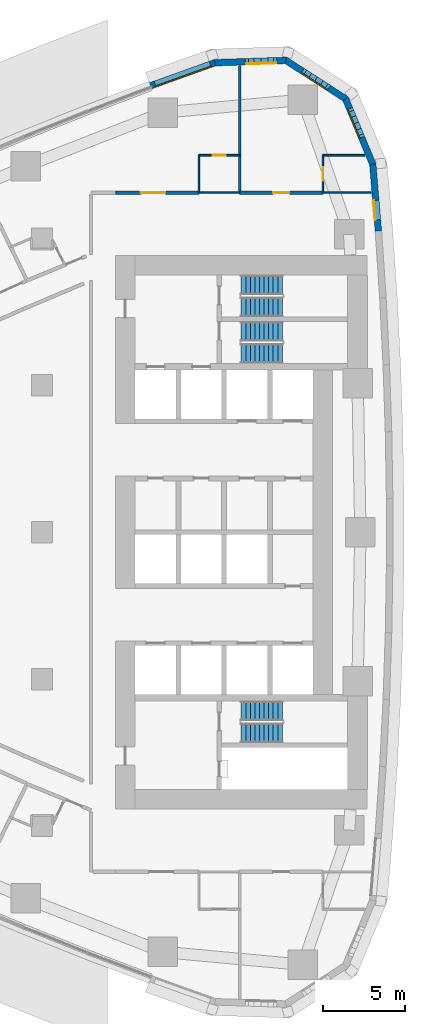
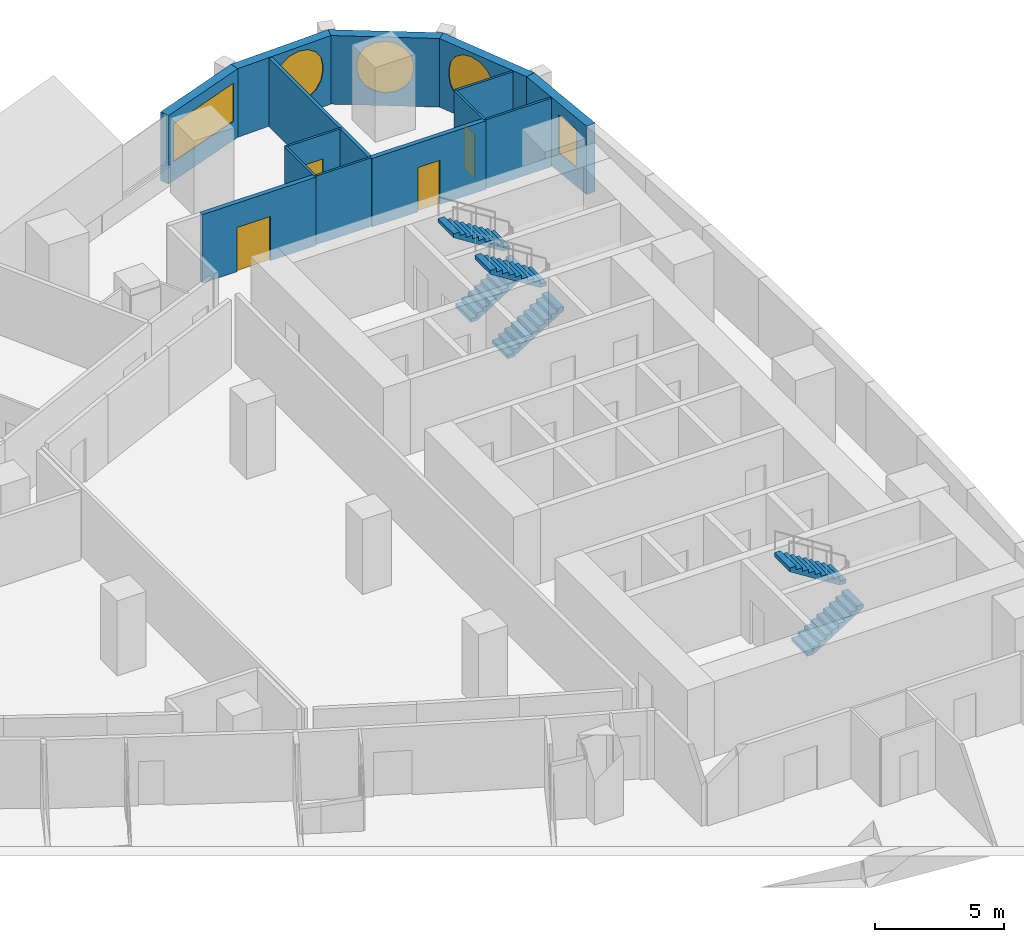
# One storey, part 13 of 18: 14 walls, 6 stair flights, 5 windows, 4 doors, 9 openings, 3 elements without a shape of their own.
"""IFC4 building model written with IfcOpenShell, lengths in metres."""

from ifc_helpers import new_model, si_unit, direction, frame, frame_2d, origin, place, context, subcontext, project, spatial, polyline, rectangle, outline, extrude, material, layer, layer_set, type_object, element, fill, aggregate, save


model = new_model("IFC4")

# Units and contexts
model_context = context("Model", 3, precision=1e-05, world=origin(), true_north=direction((0.0, 1.0)))
body_context = subcontext(model_context, "Body", "Model", "MODEL_VIEW")
ifc_project = project(units=[si_unit("LENGTHUNIT", "METRE"), si_unit("AREAUNIT", "SQUARE_METRE"), si_unit("VOLUMEUNIT", "CUBIC_METRE"), si_unit("PLANEANGLEUNIT", "RADIAN"), si_unit("MASSUNIT", "GRAM", prefix="KILO")], contexts=[model_context])

# Site, building, storey
site_placement = place(None, origin())
site = spatial("IfcSite", under=ifc_project, at=site_placement, CompositionType="ELEMENT")
building_placement = place(site_placement, origin())
building = spatial("IfcBuilding", under=site, at=building_placement, Name="Ostrand Prow Hotel Tower", CompositionType="ELEMENT")
storey_placement = place(building_placement, frame((0.0, 0.0, 57.35009765625)))
storey = spatial("IfcBuildingStorey", under=building, at=storey_placement, Name="L12", CompositionType="ELEMENT", Elevation=57.35009765625)

# Wall
ifc_material_1 = material(Name="Plasterboard partition")
ifc_layer_1 = layer(ifc_material_1, 0.10009765625)
ifc_layer_set_1 = layer_set([ifc_layer_1], Name="Plasterboard partition")
wall_type_1 = type_object("IfcWallType", Name="Partition 100 bathroom wall", PredefinedType="PARTITIONING", material=ifc_layer_set_1)
wall_1_placement = place(storey_placement, frame((54.601806640625, 20.800048828125, 0.0), z_axis=(0.0, 0.0, 1.0), x_axis=(0.0, 1.0, 0.0)))
element("IfcWall", 1, at=wall_1_placement, inside=storey, type_object=wall_type_1, Name="BATHROOM WALL", PredefinedType="PARTITIONING", context=body_context, shape_type="SweptSolid", body=[
    extrude(rectangle(XDim=2.300048828125, YDim=0.10009765625, at=frame_2d((1.14990234375, 0.0))), origin(), (0.0, 0.0, 1.0), 3.25),
])

# Wall, opening, door
wall_2_placement = place(storey_placement, frame((54.601806640625, 23.10009765625, 0.0), z_axis=(0.0, 0.0, 1.0), x_axis=(1.0, 0.0, 0.0)))
wall_2 = element("IfcWall", 2, at=wall_2_placement, inside=storey, type_object=wall_type_1, Name="BATHROOM WALL", PredefinedType="PARTITIONING", context=body_context, shape_type="SweptSolid", body=[
    extrude(rectangle(XDim=2.5, YDim=0.10009765625, at=frame_2d((1.25, 0.0))), origin(), (0.0, 0.0, 1.0), 3.25),
])
opening_1_placement = place(wall_2_placement, frame((0.85009765625, 0.0, 0.0)))
opening_1 = element("IfcOpeningElement", 3, at=opening_1_placement, cuts=wall_2, Name="Opening D2", PredefinedType="OPENING", context=body_context, shape_type="SweptSolid", body=[
    extrude(rectangle(XDim=0.800048828125, YDim=2.10009765625, at=frame_2d((0.39990234375, 1.050048828125))), frame((0.0, 0.06005859375, 0.0), z_axis=(0.0, -1.0, 0.0), x_axis=(1.0, 0.0, 0.0)), (0.0, 0.0, 1.0), 0.1201171875),
])
ifc_material_2 = material(Name="Timber door leaf", Category="wood")
door_type_1 = type_object("IfcDoorType", Name="Bathroom door 800", OperationType="SINGLE_SWING_LEFT", PredefinedType="DOOR", material=ifc_material_2)
door_1_placement = place(opening_1_placement, origin())
door_1 = element("IfcDoor", 4, at=door_1_placement, inside=storey, type_object=door_type_1, Name="DOOR", OperationType="SINGLE_SWING_LEFT", OverallHeight=2.10009765625, OverallWidth=0.800048828125, PredefinedType="DOOR", context=body_context, shape_type="SweptSolid", body=[
    extrude(rectangle(XDim=0.800048828125, YDim=2.10009765625, at=frame_2d((0.39990234375, 1.050048828125))), frame((0.0, 0.02490234375, 0.0), z_axis=(0.0, -1.0, 0.0), x_axis=(1.0, 0.0, 0.0)), (0.0, 0.0, 1.0), 0.050048828125),
])
fill(opening_1, door_1)

wall_3_placement = place(storey_placement, frame((62.203369140625, 20.800048828125, 0.0), z_axis=(0.0, 0.0, 1.0), x_axis=(0.0, 1.0, 0.0)))
wall_3 = element("IfcWall", 5, at=wall_3_placement, inside=storey, type_object=wall_type_1, Name="BATHROOM WALL", PredefinedType="PARTITIONING", context=body_context, shape_type="SweptSolid", body=[
    extrude(rectangle(XDim=2.300048828125, YDim=0.10009765625, at=frame_2d((1.14990234375, 0.0))), origin(), (0.0, 0.0, 1.0), 3.25),
])
opening_2_placement = place(wall_3_placement, frame((0.75, 0.0, 0.0)))
opening_2 = element("IfcOpeningElement", 6, at=opening_2_placement, cuts=wall_3, Name="Opening D2", PredefinedType="OPENING", context=body_context, shape_type="SweptSolid", body=[
    extrude(rectangle(XDim=0.800048828125, YDim=2.10009765625, at=frame_2d((0.39990234375, 1.050048828125))), frame((0.0, 0.06005859375, 0.0), z_axis=(0.0, -1.0, 0.0), x_axis=(1.0, 0.0, 0.0)), (0.0, 0.0, 1.0), 0.1201171875),
])
door_2_placement = place(opening_2_placement, origin())
door_2 = element("IfcDoor", 7, at=door_2_placement, inside=storey, type_object=door_type_1, Name="DOOR", OperationType="SINGLE_SWING_LEFT", OverallHeight=2.10009765625, OverallWidth=0.800048828125, PredefinedType="DOOR", context=body_context, shape_type="SweptSolid", body=[
    extrude(rectangle(XDim=0.800048828125, YDim=2.10009765625, at=frame_2d((0.39990234375, 1.050048828125))), frame((0.0, 0.02490234375, 0.0), z_axis=(0.0, -1.0, 0.0), x_axis=(1.0, 0.0, 0.0)), (0.0, 0.0, 1.0), 0.050048828125),
])
fill(opening_2, door_2)

# Walls
wall_4_placement = place(storey_placement, frame((62.203369140625, 23.10009765625, 0.0), z_axis=(0.0, 0.0, 1.0), x_axis=(1.0, 0.0, 0.0)))
element("IfcWall", 8, at=wall_4_placement, inside=storey, type_object=wall_type_1, Name="BATHROOM WALL", PredefinedType="PARTITIONING", context=body_context, shape_type="SweptSolid", body=[
    extrude(rectangle(XDim=2.578125, YDim=0.10009765625, at=frame_2d((1.2890625, 0.0))), origin(), (0.0, 0.0, 1.0), 3.25),
])
wall_5_placement = place(storey_placement, frame((57.101806640625, 20.804931640625, 0.0), z_axis=(0.0, 0.0, 1.0), x_axis=(-1.0, 0.0, 0.0)))
element("IfcWall", 9, at=wall_5_placement, inside=storey, type_object=wall_type_1, Name="BATHROOM WALL", PredefinedType="PARTITIONING", context=body_context, shape_type="SweptSolid", body=[
    extrude(rectangle(XDim=2.5, YDim=0.10009765625, at=frame_2d((1.25, 0.0))), origin(), (0.0, 0.0, 1.0), 3.25),
])
wall_6_placement = place(storey_placement, frame((65.174560546875, 20.804931640625, 0.0), z_axis=(0.0, 0.0, 1.0), x_axis=(-1.0, 0.0, 0.0)))
element("IfcWall", 10, at=wall_6_placement, inside=storey, type_object=wall_type_1, Name="BATHROOM WALL", PredefinedType="PARTITIONING", context=body_context, shape_type="SweptSolid", body=[
    extrude(rectangle(XDim=2.97119140625, YDim=0.10009765625, at=frame_2d((1.485595703125, 0.0))), origin(), (0.0, 0.0, 1.0), 3.25),
])
ifc_material_3 = material(Name="Plasterboard partition")
ifc_layer_2 = layer(ifc_material_3, 0.14990234375)
ifc_layer_set_2 = layer_set([ifc_layer_2], Name="Plasterboard partition")
wall_type_2 = type_object("IfcWallType", Name="Partition 150 room partition", PredefinedType="PARTITIONING", material=ifc_layer_set_2)
wall_7_placement = place(storey_placement, frame((57.101806640625, 20.800048828125, 0.0), z_axis=(0.0, 0.0, 1.0), x_axis=(0.0, 1.0, 0.0)))
element("IfcWall", 11, at=wall_7_placement, inside=storey, type_object=wall_type_2, Name="ROOM PARTITION", PredefinedType="PARTITIONING", context=body_context, shape_type="SweptSolid", body=[
    extrude(rectangle(XDim=7.786865234375, YDim=0.14990234375, at=frame_2d((3.8935546875, 0.0))), origin(), (0.0, 0.0, 1.0), 3.25),
])

# Wall, opening, door
ifc_material_4 = material(Name="Plasterboard partition")
ifc_layer_3 = layer(ifc_material_4, 0.199951171875)
ifc_layer_set_3 = layer_set([ifc_layer_3], Name="Plasterboard partition")
wall_type_3 = type_object("IfcWallType", Name="Partition 200 corridor wall", PredefinedType="PARTITIONING", material=ifc_layer_set_3)
wall_8_placement = place(storey_placement, frame((54.5966796875, 20.804931640625, 0.0), z_axis=(0.0, 0.0, 1.0), x_axis=(-1.0, 0.0, 0.0)))
wall_8 = element("IfcWall", 12, at=wall_8_placement, inside=storey, type_object=wall_type_3, Name="CORRIDOR WALL", PredefinedType="PARTITIONING", context=body_context, shape_type="SweptSolid", body=[
    extrude(rectangle(XDim=5.0966796875, YDim=0.199951171875, at=frame_2d((2.54833984375, 0.0))), origin(), (0.0, 0.0, 1.0), 3.25),
])
opening_3_placement = place(wall_8_placement, frame((2.04833984375, 0.0, 0.0)))
opening_3 = element("IfcOpeningElement", 13, at=opening_3_placement, cuts=wall_8, Name="Opening D15", PredefinedType="OPENING", context=body_context, shape_type="SweptSolid", body=[
    extrude(rectangle(XDim=1.5, YDim=2.10009765625, at=frame_2d((0.75, 1.050048828125))), frame((0.0, 0.10986328125, 0.0), z_axis=(0.0, -1.0, 0.0), x_axis=(1.0, 0.0, 0.0)), (0.0, 0.0, 1.0), 0.219970703125),
])
ifc_material_5 = material(Name="Timber door leaf", Category="wood")
door_type_2 = type_object("IfcDoorType", Name="Double door 1500", OperationType="DOUBLE_DOOR_SINGLE_SWING", PredefinedType="DOOR", material=ifc_material_5)
door_3_placement = place(opening_3_placement, origin())
door_3 = element("IfcDoor", 14, at=door_3_placement, inside=storey, type_object=door_type_2, Name="DOOR", OperationType="DOUBLE_DOOR_SINGLE_SWING", OverallHeight=2.10009765625, OverallWidth=1.5, PredefinedType="DOOR", context=body_context, shape_type="SweptSolid", body=[
    extrude(rectangle(XDim=1.5, YDim=2.10009765625, at=frame_2d((0.75, 1.050048828125))), frame((0.0, 0.02490234375, 0.0), z_axis=(0.0, -1.0, 0.0), x_axis=(1.0, 0.0, 0.0)), (0.0, 0.0, 1.0), 0.050048828125),
])
fill(opening_3, door_3)

wall_9_placement = place(storey_placement, frame((62.1982421875, 20.804931640625, 0.0), z_axis=(0.0, 0.0, 1.0), x_axis=(-1.0, 0.0, 0.0)))
wall_9 = element("IfcWall", 15, at=wall_9_placement, inside=storey, type_object=wall_type_3, Name="CORRIDOR WALL", PredefinedType="PARTITIONING", context=body_context, shape_type="SweptSolid", body=[
    extrude(rectangle(XDim=5.091552734375, YDim=0.199951171875, at=frame_2d((2.5458984375, 0.0))), origin(), (0.0, 0.0, 1.0), 3.25),
])
opening_4_placement = place(wall_9_placement, frame((2.0458984375, 0.0, 0.0)))
opening_4 = element("IfcOpeningElement", 16, at=opening_4_placement, cuts=wall_9, Name="Opening D1R", PredefinedType="OPENING", context=body_context, shape_type="SweptSolid", body=[
    extrude(rectangle(XDim=1.0, YDim=2.10009765625, at=frame_2d((0.5, 1.050048828125))), frame((0.0, 0.10986328125, 0.0), z_axis=(0.0, -1.0, 0.0), x_axis=(1.0, 0.0, 0.0)), (0.0, 0.0, 1.0), 0.219970703125),
])
ifc_material_6 = material(Name="Timber door leaf", Category="wood")
door_type_3 = type_object("IfcDoorType", Name="Guest room door 1000 right", OperationType="SINGLE_SWING_RIGHT", PredefinedType="DOOR", material=ifc_material_6)
door_4_placement = place(opening_4_placement, origin())
door_4 = element("IfcDoor", 17, at=door_4_placement, inside=storey, type_object=door_type_3, Name="DOOR", OperationType="SINGLE_SWING_RIGHT", OverallHeight=2.10009765625, OverallWidth=1.0, PredefinedType="DOOR", context=body_context, shape_type="SweptSolid", body=[
    extrude(rectangle(XDim=1.0, YDim=2.10009765625, at=frame_2d((0.5, 1.050048828125))), frame((0.0, 0.02490234375, 0.0), z_axis=(0.0, -1.0, 0.0), x_axis=(1.0, 0.0, 0.0)), (0.0, 0.0, 1.0), 0.050048828125),
])
fill(opening_4, door_4)

# Wall, opening, window
ifc_material_7 = material(Name="Precast concrete C40/50", Category="concrete")
ifc_layer_4 = layer(ifc_material_7, 0.39990234375)
ifc_layer_set_4 = layer_set([ifc_layer_4], Name="Precast concrete C40/50")
wall_type_4 = type_object("IfcWallType", Name="Stone-faced precast wall 400 mm", PredefinedType="NOTDEFINED", material=ifc_layer_set_4)
wall_10_placement = place(storey_placement, frame((65.602783203125, 18.455322265625, 0.0), z_axis=(0.0, 0.0, 1.0), x_axis=(-0.083793550906, 0.996483136248, 0.0)))
wall_10 = element("IfcWall", 18, at=wall_10_placement, inside=storey, type_object=wall_type_4, Name="Stone-faced wall back 15", PredefinedType="NOTDEFINED", context=body_context, shape_type="SweptSolid", body=[
    extrude(outline(polyline([(-0.001708984375, -0.199951171875), (4.136474609375, -0.199951171875), (4.073974609375, 0.199951171875), (0.001708984375, 0.199951171875), (-0.001708984375, -0.199951171875)])), origin(), (0.0, 0.0, 1.0), 3.25),
])
opening_5_placement = place(wall_10_placement, frame((0.6884765625, 0.0, 0.89990234375)))
opening_5 = element("IfcOpeningElement", 19, at=opening_5_placement, cuts=wall_10, Name="Opening WS4", PredefinedType="OPENING", context=body_context, shape_type="SweptSolid", body=[
    extrude(rectangle(XDim=1.199951171875, YDim=1.800048828125, at=frame_2d((0.60009765625, 0.89990234375))), frame((0.0, 0.2099609375, 0.0), z_axis=(0.0, -1.0, 0.0), x_axis=(1.0, 0.0, 0.0)), (0.0, 0.0, 1.0), 0.419921875),
])
ifc_material_8 = material(Name="Insulated glass in bronze frame", Category="glass")
window_type_1 = type_object("IfcWindowType", Name="Operable strip panel 1200x1800", PartitioningType="SINGLE_PANEL", PredefinedType="WINDOW", material=ifc_material_8)
window_1_placement = place(opening_5_placement, origin())
window_1 = element("IfcWindow", 20, at=window_1_placement, inside=storey, type_object=window_type_1, Name="Window back 15.1", OverallHeight=1.800048828125, OverallWidth=1.199951171875, PartitioningType="SINGLE_PANEL", PredefinedType="WINDOW", context=body_context, shape_type="SweptSolid", body=[
    extrude(rectangle(XDim=1.199951171875, YDim=1.800048828125, at=frame_2d((0.60009765625, 0.89990234375))), frame((0.0, 0.169921875, 0.0), z_axis=(0.0, -1.0, 0.0), x_axis=(1.0, 0.0, 0.0)), (0.0, 0.0, 1.0), 0.06005859375),
])
fill(opening_5, window_1)

wall_11_placement = place(storey_placement, frame((65.2587890625, 22.546142578125, 0.0), z_axis=(0.0, 0.0, 1.0), x_axis=(-0.384372042685, 0.923178277908, 0.0)))
wall_11 = element("IfcWall", 21, at=wall_11_placement, inside=storey, type_object=wall_type_4, Name="Stone-faced wall back 16", PredefinedType="NOTDEFINED", context=body_context, shape_type="SweptSolid", body=[
    extrude(outline(polyline([(-0.03125, -0.199951171875), (4.408203125, -0.199951171875), (4.283203125, 0.199951171875), (0.03125, 0.199951171875), (-0.03125, -0.199951171875)])), origin(), (0.0, 0.0, 1.0), 3.25),
])
opening_6_placement = place(wall_11_placement, frame((1.630615234375, 0.0, 0.60009765625)))
opening_6 = element("IfcOpeningElement", 22, at=opening_6_placement, cuts=wall_11, Name="Opening WP1", PredefinedType="OPENING", context=body_context, shape_type="SweptSolid", body=[
    extrude(outline(polyline([(0.0, 1.35009765625), (0.083740234375, 1.77099609375), (0.322265625, 2.127685546875), (0.678955078125, 2.3662109375), (1.10009765625, 2.449951171875), (1.52099609375, 2.3662109375), (1.877685546875, 2.127685546875), (2.1162109375, 1.77099609375), (2.199951171875, 1.35009765625), (2.199951171875, 1.10009765625), (2.1162109375, 0.678955078125), (1.877685546875, 0.322265625), (1.52099609375, 0.083740234375), (1.10009765625, 0.0), (0.678955078125, 0.083740234375), (0.322265625, 0.322265625), (0.083740234375, 0.678955078125), (0.0, 1.099853515625), (0.0, 1.35009765625)])), frame((0.0, 0.2099609375, 0.0), z_axis=(0.0, -1.0, 0.0), x_axis=(1.0, 0.0, 0.0)), (0.0, 0.0, 1.0), 0.419921875),
])
ifc_material_9 = material(Name="Insulated glass in bronze frame", Category="glass")
window_type_2 = type_object("IfcWindowType", Name="Round-ended prow window 2200x2450", PartitioningType="SINGLE_PANEL", PredefinedType="WINDOW", material=ifc_material_9)
window_2_placement = place(opening_6_placement, origin())
window_2 = element("IfcWindow", 23, at=window_2_placement, inside=storey, type_object=window_type_2, Name="Window back 16.1", OverallHeight=2.449951171875, OverallWidth=2.199951171875, PartitioningType="SINGLE_PANEL", PredefinedType="WINDOW", context=body_context, shape_type="SweptSolid", body=[
    extrude(outline(polyline([(0.0, 1.35009765625), (0.083740234375, 1.77099609375), (0.322265625, 2.127685546875), (0.678955078125, 2.3662109375), (1.10009765625, 2.449951171875), (1.52099609375, 2.3662109375), (1.877685546875, 2.127685546875), (2.1162109375, 1.77099609375), (2.199951171875, 1.35009765625), (2.199951171875, 1.10009765625), (2.1162109375, 0.678955078125), (1.877685546875, 0.322265625), (1.52099609375, 0.083740234375), (1.10009765625, 0.0), (0.678955078125, 0.083740234375), (0.322265625, 0.322265625), (0.083740234375, 0.678955078125), (0.0, 1.099853515625), (0.0, 1.35009765625)])), frame((0.0, 0.169921875, 0.0), z_axis=(0.0, -1.0, 0.0), x_axis=(1.0, 0.0, 0.0)), (0.0, 0.0, 1.0), 0.06005859375),
])
fill(opening_6, window_2)

wall_12_placement = place(storey_placement, frame((63.58837890625, 26.55810546875, 0.0), z_axis=(0.0, 0.0, 1.0), x_axis=(-0.840937468718, 0.541132307025, 0.0)))
wall_12 = element("IfcWall", 24, at=wall_12_placement, inside=storey, type_object=wall_type_4, Name="Stone-faced wall back 17", PredefinedType="NOTDEFINED", context=body_context, shape_type="SweptSolid", body=[
    extrude(outline(polyline([(-0.0625, -0.199951171875), (4.40869140625, -0.199951171875), (4.28369140625, 0.199951171875), (0.0625, 0.199951171875), (-0.0625, -0.199951171875)])), origin(), (0.0, 0.0, 1.0), 3.25),
])
opening_7_placement = place(wall_12_placement, frame((1.072998046875, 0.0, 0.60009765625)))
opening_7 = element("IfcOpeningElement", 25, at=opening_7_placement, cuts=wall_12, Name="Opening WP1", PredefinedType="OPENING", context=body_context, shape_type="SweptSolid", body=[
    extrude(outline(polyline([(0.0, 1.35009765625), (0.083740234375, 1.77099609375), (0.322265625, 2.127685546875), (0.678955078125, 2.3662109375), (1.10009765625, 2.449951171875), (1.52099609375, 2.3662109375), (1.877685546875, 2.127685546875), (2.1162109375, 1.77099609375), (2.199951171875, 1.35009765625), (2.199951171875, 1.10009765625), (2.1162109375, 0.678955078125), (1.877685546875, 0.322265625), (1.52099609375, 0.083740234375), (1.10009765625, 0.0), (0.678955078125, 0.083740234375), (0.322265625, 0.322265625), (0.083740234375, 0.678955078125), (0.0, 1.099853515625), (0.0, 1.35009765625)])), frame((0.0, 0.2099609375, 0.0), z_axis=(0.0, -1.0, 0.0), x_axis=(1.0, 0.0, 0.0)), (0.0, 0.0, 1.0), 0.419921875),
])
window_3_placement = place(opening_7_placement, origin())
window_3 = element("IfcWindow", 26, at=window_3_placement, inside=storey, type_object=window_type_2, Name="Window back 17.1", OverallHeight=2.449951171875, OverallWidth=2.199951171875, PartitioningType="SINGLE_PANEL", PredefinedType="WINDOW", context=body_context, shape_type="SweptSolid", body=[
    extrude(outline(polyline([(0.0, 1.35009765625), (0.083740234375, 1.77099609375), (0.322265625, 2.127685546875), (0.678955078125, 2.3662109375), (1.10009765625, 2.449951171875), (1.52099609375, 2.3662109375), (1.877685546875, 2.127685546875), (2.1162109375, 1.77099609375), (2.199951171875, 1.35009765625), (2.199951171875, 1.10009765625), (2.1162109375, 0.678955078125), (1.877685546875, 0.322265625), (1.52099609375, 0.083740234375), (1.10009765625, 0.0), (0.678955078125, 0.083740234375), (0.322265625, 0.322265625), (0.083740234375, 0.678955078125), (0.0, 1.099853515625), (0.0, 1.35009765625)])), frame((0.0, 0.169921875, 0.0), z_axis=(0.0, -1.0, 0.0), x_axis=(1.0, 0.0, 0.0)), (0.0, 0.0, 1.0), 0.06005859375),
])
fill(opening_7, window_3)

wall_13_placement = place(storey_placement, frame((59.93359375, 28.909912109375, 0.0), z_axis=(0.0, 0.0, 1.0), x_axis=(-0.999463576228, -0.032749958686, 0.0)))
wall_13 = element("IfcWall", 27, at=wall_13_placement, inside=storey, type_object=wall_type_4, Name="Stone-faced wall back 18", PredefinedType="NOTDEFINED", context=body_context, shape_type="SweptSolid", body=[
    extrude(outline(polyline([(-0.0625, -0.199951171875), (4.377685546875, -0.199951171875), (4.314697265625, 0.199951171875), (0.0625, 0.199951171875), (-0.0625, -0.199951171875)])), origin(), (0.0, 0.0, 1.0), 3.25),
])
opening_8_placement = place(wall_13_placement, frame((0.421875, 0.0, 0.60009765625)))
opening_8 = element("IfcOpeningElement", 28, at=opening_8_placement, cuts=wall_13, Name="Opening WP1", PredefinedType="OPENING", context=body_context, shape_type="SweptSolid", body=[
    extrude(outline(polyline([(0.0, 1.35009765625), (0.083740234375, 1.77099609375), (0.322265625, 2.127685546875), (0.678955078125, 2.3662109375), (1.10009765625, 2.449951171875), (1.52099609375, 2.3662109375), (1.877685546875, 2.127685546875), (2.1162109375, 1.77099609375), (2.199951171875, 1.35009765625), (2.199951171875, 1.10009765625), (2.1162109375, 0.678955078125), (1.877685546875, 0.322265625), (1.52099609375, 0.083740234375), (1.10009765625, 0.0), (0.678955078125, 0.083740234375), (0.322265625, 0.322265625), (0.083740234375, 0.678955078125), (0.0, 1.099853515625), (0.0, 1.35009765625)])), frame((0.0, 0.2099609375, 0.0), z_axis=(0.0, -1.0, 0.0), x_axis=(1.0, 0.0, 0.0)), (0.0, 0.0, 1.0), 0.419921875),
])
window_4_placement = place(opening_8_placement, origin())
window_4 = element("IfcWindow", 29, at=window_4_placement, inside=storey, type_object=window_type_2, Name="Window back 18.1", OverallHeight=2.449951171875, OverallWidth=2.199951171875, PartitioningType="SINGLE_PANEL", PredefinedType="WINDOW", context=body_context, shape_type="SweptSolid", body=[
    extrude(outline(polyline([(0.0, 1.35009765625), (0.083740234375, 1.77099609375), (0.322265625, 2.127685546875), (0.678955078125, 2.3662109375), (1.10009765625, 2.449951171875), (1.52099609375, 2.3662109375), (1.877685546875, 2.127685546875), (2.1162109375, 1.77099609375), (2.199951171875, 1.35009765625), (2.199951171875, 1.10009765625), (2.1162109375, 0.678955078125), (1.877685546875, 0.322265625), (1.52099609375, 0.083740234375), (1.10009765625, 0.0), (0.678955078125, 0.083740234375), (0.322265625, 0.322265625), (0.083740234375, 0.678955078125), (0.0, 1.099853515625), (0.0, 1.35009765625)])), frame((0.0, 0.169921875, 0.0), z_axis=(0.0, -1.0, 0.0), x_axis=(1.0, 0.0, 0.0)), (0.0, 0.0, 1.0), 0.06005859375),
])
fill(opening_8, window_4)

wall_14_placement = place(storey_placement, frame((55.58984375, 28.767578125, 0.0), z_axis=(0.0, 0.0, 1.0), x_axis=(-0.941339752885, -0.337460323057, 0.0)))
wall_14 = element("IfcWall", 30, at=wall_14_placement, inside=storey, type_object=wall_type_4, Name="Stone-faced wall back 19", PredefinedType="NOTDEFINED", context=body_context, shape_type="SweptSolid", body=[
    extrude(outline(polyline([(-0.031494140625, -0.199951171875), (4.196044921875, -0.199951171875), (4.196044921875, 0.199951171875), (0.031494140625, 0.199951171875), (-0.031494140625, -0.199951171875)])), origin(), (0.0, 0.0, 1.0), 3.25),
])
opening_9_placement = place(wall_14_placement, frame((0.298095703125, 0.0, 0.89990234375)))
opening_9 = element("IfcOpeningElement", 31, at=opening_9_placement, cuts=wall_14, Name="Opening WS3-36", PredefinedType="OPENING", context=body_context, shape_type="SweptSolid", body=[
    extrude(rectangle(XDim=3.60009765625, YDim=1.800048828125, at=frame_2d((1.800048828125, 0.89990234375))), frame((0.0, 0.2099609375, 0.0), z_axis=(0.0, -1.0, 0.0), x_axis=(1.0, 0.0, 0.0)), (0.0, 0.0, 1.0), 0.419921875),
])
ifc_material_10 = material(Name="Insulated glass in bronze frame", Category="glass")
window_type_3 = type_object("IfcWindowType", Name="Strip window 3600x1800", PartitioningType="SINGLE_PANEL", PredefinedType="WINDOW", material=ifc_material_10)
window_5_placement = place(opening_9_placement, origin())
window_5 = element("IfcWindow", 32, at=window_5_placement, inside=storey, type_object=window_type_3, Name="Window back 19.1", OverallHeight=1.800048828125, OverallWidth=3.60009765625, PartitioningType="SINGLE_PANEL", PredefinedType="WINDOW", context=body_context, shape_type="SweptSolid", body=[
    extrude(rectangle(XDim=3.60009765625, YDim=1.800048828125, at=frame_2d((1.800048828125, 0.89990234375))), frame((0.0, 0.169921875, 0.0), z_axis=(0.0, -1.0, 0.0), x_axis=(1.0, 0.0, 0.0)), (0.0, 0.0, 1.0), 0.06005859375),
])
fill(opening_9, window_5)

# Stair, stair flights
ifc_material_11 = material(Name="Concrete C40/50", Category="concrete")
stair_type = type_object("IfcStairType", Name="Exit stair 1200 upper zone", PredefinedType="HALF_TURN_STAIR", material=ifc_material_11)
stair_1_placement = place(storey_placement, origin())
stair_1 = element("IfcStair", 33, at=stair_1_placement, inside=storey, type_object=stair_type, Name="L12 ST1C", PredefinedType="HALF_TURN_STAIR")
ifc_material_12 = material(Name="Concrete C40/50", Category="concrete")
stair_flight_type = type_object("IfcStairFlightType", Name="Stair flight 1200 concrete", PredefinedType="STRAIGHT", material=ifc_material_12)
stair_flight_1_placement = place(storey_placement, frame((57.199951171875, 10.949951171875, 0.0), z_axis=(0.0, 0.0, 1.0), x_axis=(1.0, 0.0, 0.0)))
stair_flight_1 = element("IfcStairFlight", 34, at=stair_flight_1_placement, type_object=stair_flight_type, Name="ST1C flight 1", NumberOfRisers=10, NumberOfTreads=9, PredefinedType="STRAIGHT", RiserHeight=0.1775, TreadLength=0.28, context=body_context, shape_type="SweptSolid", body=[
    extrude(outline(polyline([(0.0, 0.0), (0.0, 0.177490234375), (0.280029296875, 0.177490234375), (0.280029296875, 0.35498046875), (0.56005859375, 0.35498046875), (0.56005859375, 0.532470703125), (0.840087890625, 0.532470703125), (0.840087890625, 0.7099609375), (1.1201171875, 0.7099609375), (1.1201171875, 0.887451171875), (1.39990234375, 0.887451171875), (1.39990234375, 1.06494140625), (1.679931640625, 1.06494140625), (1.679931640625, 1.242431640625), (1.9599609375, 1.242431640625), (1.9599609375, 1.419921875), (2.239990234375, 1.419921875), (2.239990234375, 1.597412109375), (2.52001953125, 1.597412109375), (2.52001953125, 1.77490234375), (2.52001953125, 1.419921875), (0.280029296875, 0.0), (0.0, 0.0)])), frame((0.0, 0.60009765625, 0.0), z_axis=(0.0, -1.0, 0.0), x_axis=(1.0, 0.0, 0.0)), (0.0, 0.0, 1.0), 1.199951171875),
])
stair_flight_2_placement = place(storey_placement, frame((59.719970703125, 12.300048828125, 1.77490234375), z_axis=(0.0, 0.0, 1.0), x_axis=(-1.0, 0.0, 0.0)))
stair_flight_2 = element("IfcStairFlight", 35, at=stair_flight_2_placement, type_object=stair_flight_type, Name="ST1C flight 2", NumberOfRisers=10, NumberOfTreads=9, PredefinedType="STRAIGHT", RiserHeight=0.1775, TreadLength=0.28, context=body_context, shape_type="SweptSolid", body=[
    extrude(outline(polyline([(0.0, 0.0), (0.0, 0.177490234375), (0.280029296875, 0.177490234375), (0.280029296875, 0.35498046875), (0.56005859375, 0.35498046875), (0.56005859375, 0.532470703125), (0.840087890625, 0.532470703125), (0.840087890625, 0.7099609375), (1.1201171875, 0.7099609375), (1.1201171875, 0.887451171875), (1.39990234375, 0.887451171875), (1.39990234375, 1.06494140625), (1.679931640625, 1.06494140625), (1.679931640625, 1.242431640625), (1.9599609375, 1.242431640625), (1.9599609375, 1.419921875), (2.239990234375, 1.419921875), (2.239990234375, 1.597412109375), (2.52001953125, 1.597412109375), (2.52001953125, 1.77490234375), (2.52001953125, 1.419921875), (0.280029296875, 0.0), (0.0, 0.0)])), frame((0.0, 0.60009765625, 0.0), z_axis=(0.0, -1.0, 0.0), x_axis=(1.0, 0.0, 0.0)), (0.0, 0.0, 1.0), 1.199951171875),
])
aggregate(stair_1, [stair_flight_1, stair_flight_2])

stair_2_placement = place(storey_placement, origin())
stair_2 = element("IfcStair", 36, at=stair_2_placement, inside=storey, type_object=stair_type, Name="L12 ST3C", PredefinedType="HALF_TURN_STAIR")
stair_flight_3_placement = place(storey_placement, frame((57.199951171875, 13.800048828125, 0.0), z_axis=(0.0, 0.0, 1.0), x_axis=(1.0, 0.0, 0.0)))
stair_flight_3 = element("IfcStairFlight", 37, at=stair_flight_3_placement, type_object=stair_flight_type, Name="ST3C flight 1", NumberOfRisers=10, NumberOfTreads=9, PredefinedType="STRAIGHT", RiserHeight=0.1775, TreadLength=0.28, context=body_context, shape_type="SweptSolid", body=[
    extrude(outline(polyline([(0.0, 0.0), (0.0, 0.177490234375), (0.280029296875, 0.177490234375), (0.280029296875, 0.35498046875), (0.56005859375, 0.35498046875), (0.56005859375, 0.532470703125), (0.840087890625, 0.532470703125), (0.840087890625, 0.7099609375), (1.1201171875, 0.7099609375), (1.1201171875, 0.887451171875), (1.39990234375, 0.887451171875), (1.39990234375, 1.06494140625), (1.679931640625, 1.06494140625), (1.679931640625, 1.242431640625), (1.9599609375, 1.242431640625), (1.9599609375, 1.419921875), (2.239990234375, 1.419921875), (2.239990234375, 1.597412109375), (2.52001953125, 1.597412109375), (2.52001953125, 1.77490234375), (2.52001953125, 1.419921875), (0.280029296875, 0.0), (0.0, 0.0)])), frame((0.0, 0.60009765625, 0.0), z_axis=(0.0, -1.0, 0.0), x_axis=(1.0, 0.0, 0.0)), (0.0, 0.0, 1.0), 1.199951171875),
])
stair_flight_4_placement = place(storey_placement, frame((59.719970703125, 15.14990234375, 1.77490234375), z_axis=(0.0, 0.0, 1.0), x_axis=(-1.0, 0.0, 0.0)))
stair_flight_4 = element("IfcStairFlight", 38, at=stair_flight_4_placement, type_object=stair_flight_type, Name="ST3C flight 2", NumberOfRisers=10, NumberOfTreads=9, PredefinedType="STRAIGHT", RiserHeight=0.1775, TreadLength=0.28, context=body_context, shape_type="SweptSolid", body=[
    extrude(outline(polyline([(0.0, 0.0), (0.0, 0.177490234375), (0.280029296875, 0.177490234375), (0.280029296875, 0.35498046875), (0.56005859375, 0.35498046875), (0.56005859375, 0.532470703125), (0.840087890625, 0.532470703125), (0.840087890625, 0.7099609375), (1.1201171875, 0.7099609375), (1.1201171875, 0.887451171875), (1.39990234375, 0.887451171875), (1.39990234375, 1.06494140625), (1.679931640625, 1.06494140625), (1.679931640625, 1.242431640625), (1.9599609375, 1.242431640625), (1.9599609375, 1.419921875), (2.239990234375, 1.419921875), (2.239990234375, 1.597412109375), (2.52001953125, 1.597412109375), (2.52001953125, 1.77490234375), (2.52001953125, 1.419921875), (0.280029296875, 0.0), (0.0, 0.0)])), frame((0.0, 0.60009765625, 0.0), z_axis=(0.0, -1.0, 0.0), x_axis=(1.0, 0.0, 0.0)), (0.0, 0.0, 1.0), 1.199951171875),
])
aggregate(stair_2, [stair_flight_3, stair_flight_4])

stair_3_placement = place(storey_placement, origin())
stair_3 = element("IfcStair", 39, at=stair_3_placement, inside=storey, type_object=stair_type, Name="L12 ST2C", PredefinedType="HALF_TURN_STAIR")
stair_flight_5_placement = place(storey_placement, frame((57.199951171875, -12.300048828125, 0.0), z_axis=(0.0, 0.0, 1.0), x_axis=(1.0, 0.0, 0.0)))
stair_flight_5 = element("IfcStairFlight", 40, at=stair_flight_5_placement, type_object=stair_flight_type, Name="ST2C flight 1", NumberOfRisers=10, NumberOfTreads=9, PredefinedType="STRAIGHT", RiserHeight=0.1775, TreadLength=0.28, context=body_context, shape_type="SweptSolid", body=[
    extrude(outline(polyline([(0.0, 0.0), (0.0, 0.177490234375), (0.280029296875, 0.177490234375), (0.280029296875, 0.35498046875), (0.56005859375, 0.35498046875), (0.56005859375, 0.532470703125), (0.840087890625, 0.532470703125), (0.840087890625, 0.7099609375), (1.1201171875, 0.7099609375), (1.1201171875, 0.887451171875), (1.39990234375, 0.887451171875), (1.39990234375, 1.06494140625), (1.679931640625, 1.06494140625), (1.679931640625, 1.242431640625), (1.9599609375, 1.242431640625), (1.9599609375, 1.419921875), (2.239990234375, 1.419921875), (2.239990234375, 1.597412109375), (2.52001953125, 1.597412109375), (2.52001953125, 1.77490234375), (2.52001953125, 1.419921875), (0.280029296875, 0.0), (0.0, 0.0)])), frame((0.0, 0.60009765625, 0.0), z_axis=(0.0, -1.0, 0.0), x_axis=(1.0, 0.0, 0.0)), (0.0, 0.0, 1.0), 1.199951171875),
])
stair_flight_6_placement = place(storey_placement, frame((59.719970703125, -10.949951171875, 1.77490234375), z_axis=(0.0, 0.0, 1.0), x_axis=(-1.0, 0.0, 0.0)))
stair_flight_6 = element("IfcStairFlight", 41, at=stair_flight_6_placement, type_object=stair_flight_type, Name="ST2C flight 2", NumberOfRisers=10, NumberOfTreads=9, PredefinedType="STRAIGHT", RiserHeight=0.1775, TreadLength=0.28, context=body_context, shape_type="SweptSolid", body=[
    extrude(outline(polyline([(0.0, 0.0), (0.0, 0.177490234375), (0.280029296875, 0.177490234375), (0.280029296875, 0.35498046875), (0.56005859375, 0.35498046875), (0.56005859375, 0.532470703125), (0.840087890625, 0.532470703125), (0.840087890625, 0.7099609375), (1.1201171875, 0.7099609375), (1.1201171875, 0.887451171875), (1.39990234375, 0.887451171875), (1.39990234375, 1.06494140625), (1.679931640625, 1.06494140625), (1.679931640625, 1.242431640625), (1.9599609375, 1.242431640625), (1.9599609375, 1.419921875), (2.239990234375, 1.419921875), (2.239990234375, 1.597412109375), (2.52001953125, 1.597412109375), (2.52001953125, 1.77490234375), (2.52001953125, 1.419921875), (0.280029296875, 0.0), (0.0, 0.0)])), frame((0.0, 0.60009765625, 0.0), z_axis=(0.0, -1.0, 0.0), x_axis=(1.0, 0.0, 0.0)), (0.0, 0.0, 1.0), 1.199951171875),
])
aggregate(stair_3, [stair_flight_5, stair_flight_6])

save(model, "model.ifc")
